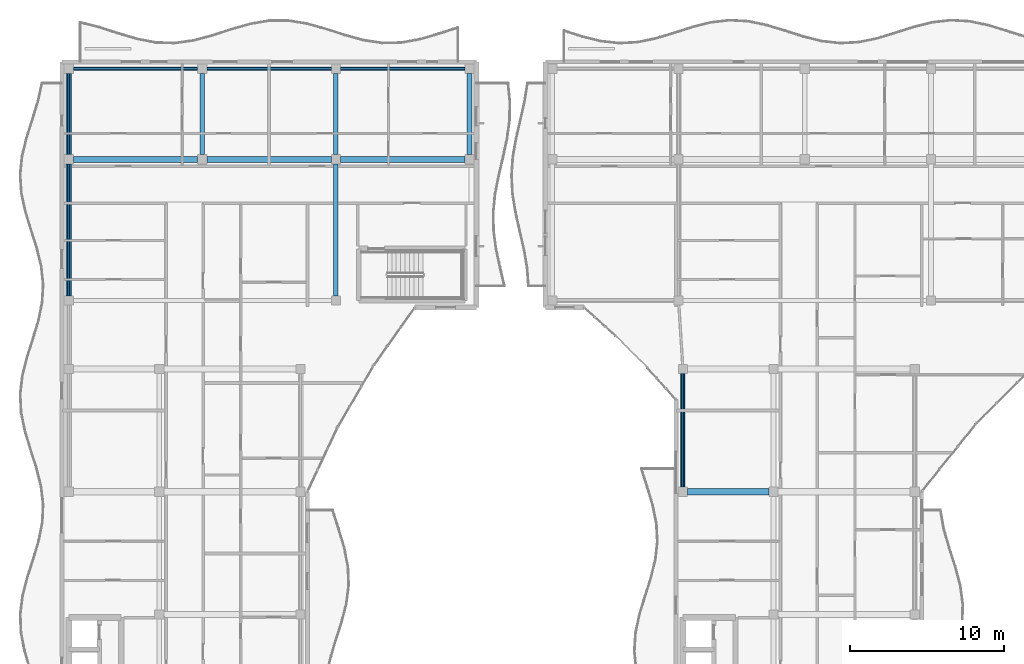
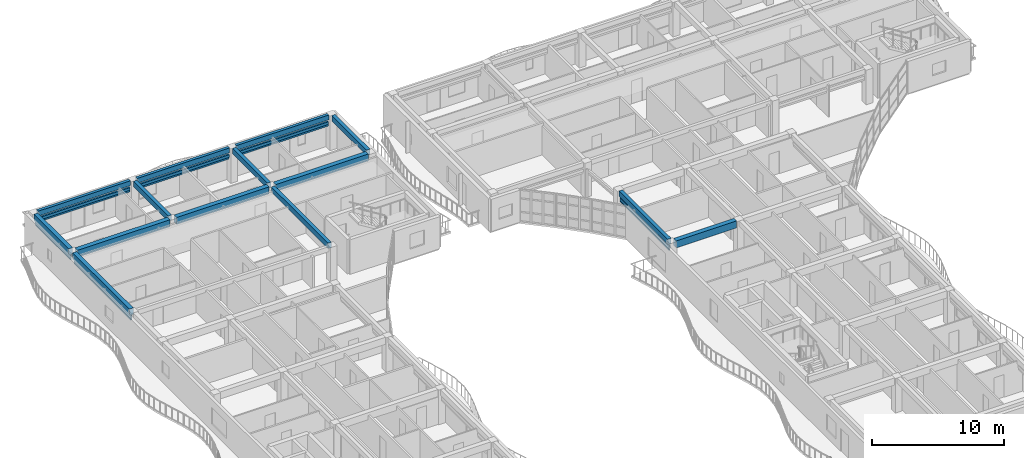
# One storey, part 4 of 76: 14 beams, 12 members.
"""IFC4 building model written with IfcOpenShell, lengths in metres."""

from ifc_helpers import new_model, si_unit, direction, frame, origin, origin_2d, place, context, subcontext, project, spatial, rectangle, hollow_rectangle, extrude, material, material_profile, profile_set, type_object, element, save


model = new_model("IFC4")

# Units and contexts
model_context = context("Model", 3, precision=1e-05, world=origin(), true_north=direction((0.0, 1.0)))
body_context = subcontext(model_context, "Body", "Model", "MODEL_VIEW")
ifc_project = project(units=[si_unit("LENGTHUNIT", "METRE"), si_unit("AREAUNIT", "SQUARE_METRE"), si_unit("VOLUMEUNIT", "CUBIC_METRE"), si_unit("PLANEANGLEUNIT", "RADIAN"), si_unit("MASSUNIT", "GRAM", prefix="KILO")], contexts=[model_context])

# Site, building, storey
site_placement = place(None, origin())
site = spatial("IfcSite", under=ifc_project, at=site_placement, CompositionType="ELEMENT")
building_placement = place(site_placement, origin())
building = spatial("IfcBuilding", under=site, at=building_placement, Name="Keldmere Railside Commons", CompositionType="ELEMENT")
storey_placement = place(building_placement, frame((0.0, 0.0, 13.760009765625)))
storey = spatial("IfcBuildingStorey", under=building, at=storey_placement, Name="L04", CompositionType="ELEMENT", Elevation=13.760009765625)

# Members
ifc_material_1 = material(Name="Steel F-36 (S355)", Category="steel")
ifc_material_profile_1 = material_profile(ifc_material_1, hollow_rectangle(XDim=0.14990234375, YDim=0.25, WallThickness=0.010009765625, at=origin_2d()), Name="RHS-250x150x10")
ifc_profile_set_1 = profile_set([ifc_material_profile_1], Name="Steel F-36 (S355)")
member_type_1 = type_object("IfcMemberType", Name="Balcony Continuous Planted Trough RHS250x150", PredefinedType="CHORD", material=ifc_profile_set_1)
for number, where, z_axis, x_axis, name in (
    (1, (8.75, 115.550048828125, 2.4150390625), (1.0, 0.0, 0.0), (0.0, 1.0, 0.0), "PLT-1 MEM-BPLT-0447"),
    (2, (17.449951171875, 115.550048828125, 2.4150390625), (1.0, 0.0, 0.0), (0.0, 1.0, 0.0), "PLT-1 MEM-BPLT-0449"),
    (3, (26.14990234375, 115.550048828125, 2.4150390625), (1.0, 0.0, 0.0), (0.0, 1.0, 0.0), "PLT-1 MEM-BPLT-0451"),
):
    element("IfcMember", number, at=place(storey_placement, frame(where, z_axis=z_axis, x_axis=x_axis)), inside=storey, type_object=member_type_1, Name=name, PredefinedType="CHORD", context=body_context, shape_type="SweptSolid", body=[
        extrude(hollow_rectangle(XDim=0.14990234375, YDim=0.25, WallThickness=0.010009765625, at=origin_2d()), origin(), (0.0, 0.0, 1.0), 8.10009765625),
    ])
member_1_placement = place(storey_placement, frame((8.449951171875, 100.75, 2.4150390625), z_axis=(0.0, 1.0, 0.0), x_axis=(-1.0, 0.0, 0.0)))
element("IfcMember", 4, at=member_1_placement, inside=storey, type_object=member_type_1, Name="PLT-1 MEM-BPLT-0459", PredefinedType="CHORD", context=body_context, shape_type="SweptSolid", body=[
    extrude(hollow_rectangle(XDim=0.14990234375, YDim=0.25, WallThickness=0.010009765625, at=origin_2d()), origin(), (0.0, 0.0, 1.0), 8.60009765625),
])
member_2_placement = place(storey_placement, frame((8.449951171875, 109.949951171875, 2.4150390625), z_axis=(0.0, 1.0, 0.0), x_axis=(-1.0, 0.0, 0.0)))
element("IfcMember", 5, at=member_2_placement, inside=storey, type_object=member_type_1, Name="PLT-1 MEM-BPLT-0461", PredefinedType="CHORD", context=body_context, shape_type="SweptSolid", body=[
    extrude(hollow_rectangle(XDim=0.14990234375, YDim=0.25, WallThickness=0.010009765625, at=origin_2d()), origin(), (0.0, 0.0, 1.0), 5.300048828125),
])
member_3_placement = place(storey_placement, frame((48.449951171875, 88.300048828125, 2.4150390625), z_axis=(0.0, 1.0, 0.0), x_axis=(-1.0, 0.0, 0.0)))
element("IfcMember", 6, at=member_3_placement, inside=storey, type_object=member_type_1, Name="PLT-1 MEM-BPLT-0489", PredefinedType="CHORD", context=body_context, shape_type="SweptSolid", body=[
    extrude(hollow_rectangle(XDim=0.14990234375, YDim=0.25, WallThickness=0.010009765625, at=origin_2d()), origin(), (0.0, 0.0, 1.0), 7.39990234375),
])

# Beams
ifc_material_2 = material(Name="Architectural Precast Concrete H-35 (C35/45)", Category="concrete")
ifc_material_profile_2 = material_profile(ifc_material_2, rectangle(XDim=0.25, YDim=0.449951171875, at=origin_2d()), Name="RC-250x450")
ifc_profile_set_2 = profile_set([ifc_material_profile_2], Name="Architectural Precast Concrete H-35 (C35/45)")
beam_type_1 = type_object("IfcBeamType", Name="Perimeter Precast Spandrel Beam 250x450", PredefinedType="SPANDREL", material=ifc_profile_set_2)
for number, where, z_axis, x_axis, name in (
    (7, (8.75, 115.550048828125, 2.97509765625), (1.0, 0.0, 0.0), (0.0, 1.0, 0.0), "SPB-1 BM-L04-1583"),
    (8, (17.449951171875, 115.550048828125, 2.97509765625), (1.0, 0.0, 0.0), (0.0, 1.0, 0.0), "SPB-1 BM-L04-1584"),
    (9, (26.14990234375, 115.550048828125, 2.97509765625), (1.0, 0.0, 0.0), (0.0, 1.0, 0.0), "SPB-1 BM-L04-1585"),
):
    element("IfcBeam", number, at=place(storey_placement, frame(where, z_axis=z_axis, x_axis=x_axis)), inside=storey, type_object=beam_type_1, Name=name, PredefinedType="SPANDREL", context=body_context, shape_type="SweptSolid", body=[
        extrude(rectangle(XDim=0.25, YDim=0.449951171875, at=origin_2d()), origin(), (0.0, 0.0, 1.0), 8.10009765625),
    ])
ifc_material_3 = material(Name="Concrete H-30 (C30/37)", Category="concrete")
ifc_material_profile_3 = material_profile(ifc_material_3, rectangle(XDim=0.35009765625, YDim=0.60009765625, at=origin_2d()), Name="RC-350x600")
ifc_profile_set_3 = profile_set([ifc_material_profile_3], Name="Concrete H-30 (C30/37)")
beam_type_2 = type_object("IfcBeamType", Name="Residential Chord RC Beam 350x600", PredefinedType="BEAM", material=ifc_profile_set_3)
beam_1_placement = place(storey_placement, frame((8.449951171875, 100.75, 2.89990234375), z_axis=(0.0, 1.0, 0.0), x_axis=(-1.0, 0.0, 0.0)))
element("IfcBeam", 10, at=beam_1_placement, inside=storey, type_object=beam_type_2, Name="BG-4 BM-L04-1605", PredefinedType="BEAM", context=body_context, shape_type="SweptSolid", body=[
    extrude(rectangle(XDim=0.35009765625, YDim=0.60009765625, at=origin_2d()), origin(), (0.0, 0.0, 1.0), 8.60009765625),
])
beam_2_placement = place(storey_placement, frame((8.449951171875, 109.949951171875, 2.89990234375), z_axis=(0.0, 1.0, 0.0), x_axis=(-1.0, 0.0, 0.0)))
element("IfcBeam", 11, at=beam_2_placement, inside=storey, type_object=beam_type_2, Name="BG-4 BM-L04-1606", PredefinedType="BEAM", context=body_context, shape_type="SweptSolid", body=[
    extrude(rectangle(XDim=0.35009765625, YDim=0.60009765625, at=origin_2d()), origin(), (0.0, 0.0, 1.0), 5.300048828125),
])
ifc_material_profile_4 = material_profile(ifc_material_3, rectangle(XDim=0.39990234375, YDim=0.64990234375, at=origin_2d()), Name="RC-400x650")
ifc_profile_set_4 = profile_set([ifc_material_profile_4], Name="Concrete H-30 (C30/37)")
beam_type_3 = type_object("IfcBeamType", Name="Residential Spine RC Girder 400x650", PredefinedType="BEAM", material=ifc_profile_set_4)
beam_3_placement = place(storey_placement, frame((48.75, 88.0, 2.875), z_axis=(1.0, 0.0, 0.0), x_axis=(0.0, 1.0, 0.0)))
element("IfcBeam", 12, at=beam_3_placement, inside=storey, type_object=beam_type_3, Name="BG-3 BM-L04-1540", PredefinedType="BEAM", context=body_context, shape_type="SweptSolid", body=[
    extrude(rectangle(XDim=0.39990234375, YDim=0.64990234375, at=origin_2d()), origin(), (0.0, 0.0, 1.0), 5.300048828125),
])
for number, where, z_axis, x_axis, name in (
    (13, (8.75, 109.64990234375, 2.875), (1.0, 0.0, 0.0), (0.0, 1.0, 0.0), "BG-3 BM-L04-1564"),
    (14, (17.449951171875, 109.64990234375, 2.875), (1.0, 0.0, 0.0), (0.0, 1.0, 0.0), "BG-3 BM-L04-1565"),
    (15, (26.14990234375, 109.64990234375, 2.875), (1.0, 0.0, 0.0), (0.0, 1.0, 0.0), "BG-3 BM-L04-1566"),
):
    element("IfcBeam", number, at=place(storey_placement, frame(where, z_axis=z_axis, x_axis=x_axis)), inside=storey, type_object=beam_type_3, Name=name, PredefinedType="BEAM", context=body_context, shape_type="SweptSolid", body=[
        extrude(rectangle(XDim=0.39990234375, YDim=0.64990234375, at=origin_2d()), origin(), (0.0, 0.0, 1.0), 8.10009765625),
    ])
ifc_material_profile_5 = material_profile(ifc_material_3, rectangle(XDim=0.300048828125, YDim=0.5, at=origin_2d()), Name="RC-300x500")
ifc_profile_set_5 = profile_set([ifc_material_profile_5], Name="Concrete H-30 (C30/37)")
beam_type_4 = type_object("IfcBeamType", Name="Secondary Frame RC Beam 300x500", PredefinedType="BEAM", material=ifc_profile_set_5)
beam_4_placement = place(storey_placement, frame((17.14990234375, 109.949951171875, 2.949951171875), z_axis=(0.0, 1.0, 0.0), x_axis=(-1.0, 0.0, 0.0)))
element("IfcBeam", 16, at=beam_4_placement, inside=storey, type_object=beam_type_4, Name="BG-5 BM-L04-1612", PredefinedType="BEAM", context=body_context, shape_type="SweptSolid", body=[
    extrude(rectangle(XDim=0.300048828125, YDim=0.5, at=origin_2d()), origin(), (0.0, 0.0, 1.0), 5.300048828125),
])
beam_5_placement = place(storey_placement, frame((25.85009765625, 100.75, 2.949951171875), z_axis=(0.0, 1.0, 0.0), x_axis=(-1.0, 0.0, 0.0)))
element("IfcBeam", 17, at=beam_5_placement, inside=storey, type_object=beam_type_4, Name="BG-5 BM-L04-1618", PredefinedType="BEAM", context=body_context, shape_type="SweptSolid", body=[
    extrude(rectangle(XDim=0.300048828125, YDim=0.5, at=origin_2d()), origin(), (0.0, 0.0, 1.0), 8.60009765625),
])
for number, where, z_axis, x_axis, name in (
    (18, (25.85009765625, 109.949951171875, 2.949951171875), (0.0, 1.0, 0.0), (-1.0, 0.0, 0.0), "BG-5 BM-L04-1619"),
    (19, (34.550048828125, 109.949951171875, 2.949951171875), (0.0, 1.0, 0.0), (-1.0, 0.0, 0.0), "BG-5 BM-L04-1620"),
):
    element("IfcBeam", number, at=place(storey_placement, frame(where, z_axis=z_axis, x_axis=x_axis)), inside=storey, type_object=beam_type_4, Name=name, PredefinedType="BEAM", context=body_context, shape_type="SweptSolid", body=[
        extrude(rectangle(XDim=0.300048828125, YDim=0.5, at=origin_2d()), origin(), (0.0, 0.0, 1.0), 5.300048828125),
    ])
beam_6_placement = place(storey_placement, frame((48.449951171875, 88.300048828125, 2.949951171875), z_axis=(0.0, 1.0, 0.0), x_axis=(-1.0, 0.0, 0.0)))
element("IfcBeam", 20, at=beam_6_placement, inside=storey, type_object=beam_type_4, Name="BG-5 BM-L04-1626", PredefinedType="BEAM", context=body_context, shape_type="SweptSolid", body=[
    extrude(rectangle(XDim=0.300048828125, YDim=0.5, at=origin_2d()), origin(), (0.0, 0.0, 1.0), 7.39990234375),
])

# Members
ifc_material_profile_6 = material_profile(ifc_material_1, hollow_rectangle(XDim=0.10009765625, YDim=0.159912109375, WallThickness=0.008056640625, at=origin_2d()), Name="RHS-160x100x8")
ifc_profile_set_6 = profile_set([ifc_material_profile_6], Name="Steel F-36 (S355)")
member_type_2 = type_object("IfcMemberType", Name="Solar Brise-Soleil Louvre Fin RHS160x100", PredefinedType="STRUT", material=ifc_profile_set_6)
for number, where, z_axis, x_axis, name in (
    (21, (8.75, 115.550048828125, 2.199951171875), (1.0, 0.0, 0.0), (0.0, 1.0, 0.0), "BSF-1 MEM-BSF-0448"),
    (22, (17.449951171875, 115.550048828125, 2.199951171875), (1.0, 0.0, 0.0), (0.0, 1.0, 0.0), "BSF-1 MEM-BSF-0450"),
    (23, (26.14990234375, 115.550048828125, 2.199951171875), (1.0, 0.0, 0.0), (0.0, 1.0, 0.0), "BSF-1 MEM-BSF-0452"),
):
    element("IfcMember", number, at=place(storey_placement, frame(where, z_axis=z_axis, x_axis=x_axis)), inside=storey, type_object=member_type_2, Name=name, PredefinedType="STRUT", context=body_context, shape_type="SweptSolid", body=[
        extrude(hollow_rectangle(XDim=0.10009765625, YDim=0.159912109375, WallThickness=0.008056640625, at=origin_2d()), origin(), (0.0, 0.0, 1.0), 8.10009765625),
    ])
member_4_placement = place(storey_placement, frame((8.449951171875, 100.75, 2.199951171875), z_axis=(0.0, 1.0, 0.0), x_axis=(-1.0, 0.0, 0.0)))
element("IfcMember", 24, at=member_4_placement, inside=storey, type_object=member_type_2, Name="BSF-1 MEM-BSF-0460", PredefinedType="STRUT", context=body_context, shape_type="SweptSolid", body=[
    extrude(hollow_rectangle(XDim=0.10009765625, YDim=0.159912109375, WallThickness=0.008056640625, at=origin_2d()), origin(), (0.0, 0.0, 1.0), 8.60009765625),
])
member_5_placement = place(storey_placement, frame((8.449951171875, 109.949951171875, 2.199951171875), z_axis=(0.0, 1.0, 0.0), x_axis=(-1.0, 0.0, 0.0)))
element("IfcMember", 25, at=member_5_placement, inside=storey, type_object=member_type_2, Name="BSF-1 MEM-BSF-0462", PredefinedType="STRUT", context=body_context, shape_type="SweptSolid", body=[
    extrude(hollow_rectangle(XDim=0.10009765625, YDim=0.159912109375, WallThickness=0.008056640625, at=origin_2d()), origin(), (0.0, 0.0, 1.0), 5.300048828125),
])
member_6_placement = place(storey_placement, frame((48.449951171875, 88.300048828125, 2.199951171875), z_axis=(0.0, 1.0, 0.0), x_axis=(-1.0, 0.0, 0.0)))
element("IfcMember", 26, at=member_6_placement, inside=storey, type_object=member_type_2, Name="BSF-1 MEM-BSF-0490", PredefinedType="STRUT", context=body_context, shape_type="SweptSolid", body=[
    extrude(hollow_rectangle(XDim=0.10009765625, YDim=0.159912109375, WallThickness=0.008056640625, at=origin_2d()), origin(), (0.0, 0.0, 1.0), 7.39990234375),
])

save(model, "model.ifc")
